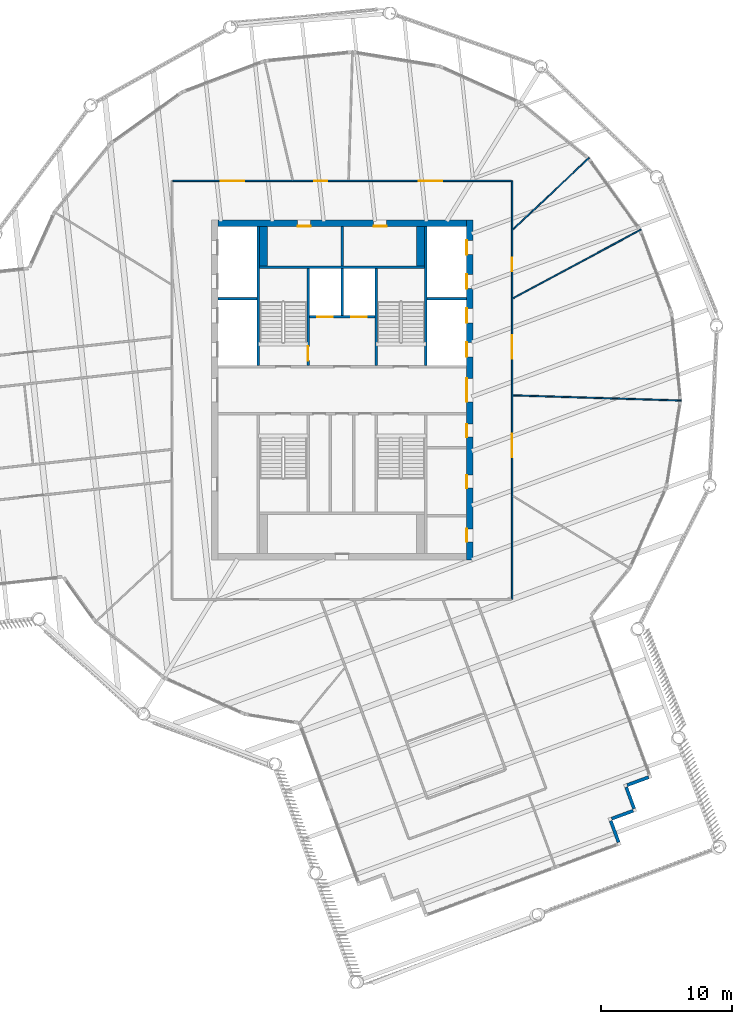
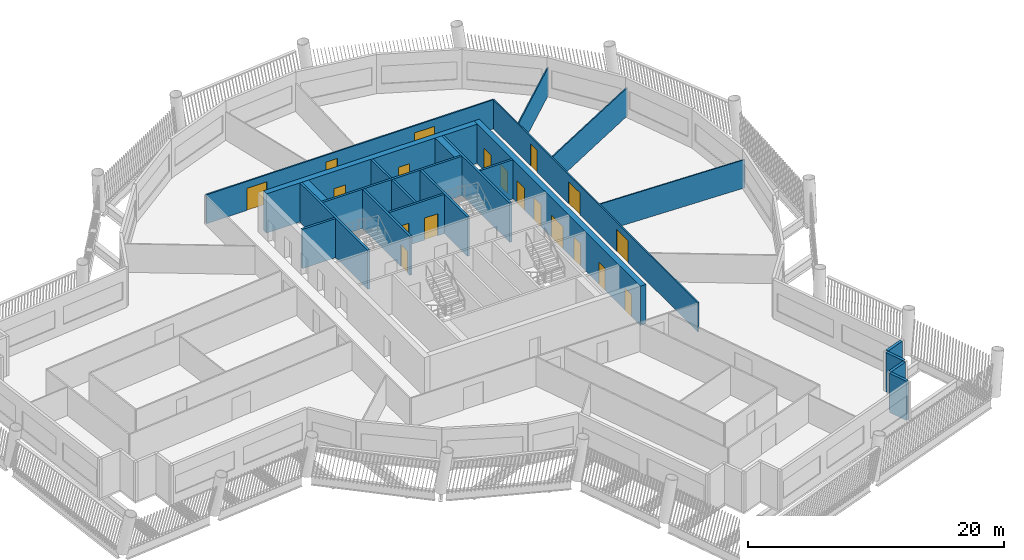
# One storey, part 5 of 14: 23 walls, 19 doors, 19 openings.
"""IFC4 building model written with IfcOpenShell, lengths in metres."""

from ifc_helpers import new_model, si_unit, direction, frame, frame_2d, origin, place, context, subcontext, project, spatial, rectangle, extrude, material, layer, layer_set, type_object, element, fill, save


model = new_model("IFC4")

# Units and contexts
model_context = context("Model", 3, precision=1e-05, world=origin(), true_north=direction((0.0, 1.0)))
body_context = subcontext(model_context, "Body", "Model", "MODEL_VIEW")
ifc_project = project(units=[si_unit("LENGTHUNIT", "METRE"), si_unit("AREAUNIT", "SQUARE_METRE"), si_unit("VOLUMEUNIT", "CUBIC_METRE"), si_unit("PLANEANGLEUNIT", "RADIAN"), si_unit("MASSUNIT", "GRAM", prefix="KILO")], contexts=[model_context])

# Site, building, storey
site_placement = place(None, origin())
site = spatial("IfcSite", under=ifc_project, at=site_placement, CompositionType="ELEMENT")
building_placement = place(site_placement, origin())
building = spatial("IfcBuilding", under=site, at=building_placement, Name="Tarsis Ring Headquarters", CompositionType="ELEMENT")
storey_placement = place(building_placement, frame((0.0, 0.0, 311.89990234375)))
storey = spatial("IfcBuildingStorey", under=building, at=storey_placement, Name="L73", CompositionType="ELEMENT", Elevation=311.89990234375)

# Wall
ifc_material_1 = material(Name="Blockwork", Category="masonry")
ifc_layer_1 = layer(ifc_material_1, 0.199951171875)
ifc_layer_set_1 = layer_set([ifc_layer_1], Name="Core blockwork wall 200")
wall_type_1 = type_object("IfcWallType", Name="Core blockwork wall 200", PredefinedType="PARTITIONING", material=ifc_layer_set_1)
wall_1_placement = place(storey_placement, frame((0.0, 9.5, 0.0), z_axis=(0.0, 0.0, 1.0), x_axis=(0.0, 1.0, 0.0)))
element("IfcWall", 1, at=wall_1_placement, inside=storey, type_object=wall_type_1, Name="Core partition ND2", PredefinedType="PARTITIONING", context=body_context, shape_type="SweptSolid", body=[
    extrude(rectangle(XDim=3.0, YDim=0.199951171875, at=frame_2d((1.5, 0.0))), origin(), (0.0, 0.0, 1.0), 3.739990234375),
])

# Wall, openings, doors
ifc_material_2 = material(Name="Concrete C50/60", Category="concrete")
ifc_layer_2 = layer(ifc_material_2, 0.5)
ifc_layer_set_2 = layer_set([ifc_layer_2], Name="Core wall 500 C50/60")
wall_type_2 = type_object("IfcWallType", Name="Core wall 500 C50/60", PredefinedType="SHEAR", material=ifc_layer_set_2)
wall_2_placement = place(storey_placement, frame((9.75, -13.0, 0.0), z_axis=(0.0, 0.0, 1.0), x_axis=(0.0, 1.0, 0.0)))
wall_2 = element("IfcWall", 2, at=wall_2_placement, inside=storey, type_object=wall_type_2, Name="Core wall OE", PredefinedType="SHEAR", context=body_context, shape_type="SweptSolid", body=[
    extrude(rectangle(XDim=26.0, YDim=0.5, at=frame_2d((13.0, 0.0))), origin(), (0.0, 0.0, 1.0), 3.739990234375),
])
opening_1_placement = place(wall_2_placement, frame((1.39990234375, 0.0, 0.0)))
opening_1 = element("IfcOpeningElement", 3, at=opening_1_placement, cuts=wall_2, Name="Opening L73-C07", PredefinedType="OPENING", context=body_context, shape_type="SweptSolid", body=[
    extrude(rectangle(XDim=1.0, YDim=2.10009765625, at=frame_2d((0.5, 1.050048828125))), frame((0.0, 0.260009765625, 0.0), z_axis=(0.0, -1.0, 0.0), x_axis=(1.0, 0.0, 0.0)), (0.0, 0.0, 1.0), 0.52001953125),
])
opening_2_placement = place(wall_2_placement, frame((5.5, 0.0, 0.0)))
opening_2 = element("IfcOpeningElement", 4, at=opening_2_placement, cuts=wall_2, Name="Opening L73-C08", PredefinedType="OPENING", context=body_context, shape_type="SweptSolid", body=[
    extrude(rectangle(XDim=1.0, YDim=2.10009765625, at=frame_2d((0.5, 1.050048828125))), frame((0.0, 0.260009765625, 0.0), z_axis=(0.0, -1.0, 0.0), x_axis=(1.0, 0.0, 0.0)), (0.0, 0.0, 1.0), 0.52001953125),
])
opening_3_placement = place(wall_2_placement, frame((9.39990234375, 0.0, 0.0)))
opening_3 = element("IfcOpeningElement", 5, at=opening_3_placement, cuts=wall_2, Name="Opening L73-C09", PredefinedType="OPENING", context=body_context, shape_type="SweptSolid", body=[
    extrude(rectangle(XDim=1.0, YDim=2.10009765625, at=frame_2d((0.5, 1.050048828125))), frame((0.0, 0.260009765625, 0.0), z_axis=(0.0, -1.0, 0.0), x_axis=(1.0, 0.0, 0.0)), (0.0, 0.0, 1.0), 0.52001953125),
])
opening_4_placement = place(wall_2_placement, frame((12.10009765625, 0.0, 0.0)))
opening_4 = element("IfcOpeningElement", 6, at=opening_4_placement, cuts=wall_2, Name="Opening L73-C10", PredefinedType="OPENING", context=body_context, shape_type="SweptSolid", body=[
    extrude(rectangle(XDim=1.800048828125, YDim=2.10009765625, at=frame_2d((0.89990234375, 1.050048828125))), frame((0.0, 0.260009765625, 0.0), z_axis=(0.0, -1.0, 0.0), x_axis=(1.0, 0.0, 0.0)), (0.0, 0.0, 1.0), 0.52001953125),
])
opening_5_placement = place(wall_2_placement, frame((15.550048828125, 0.0, 0.0)))
opening_5 = element("IfcOpeningElement", 7, at=opening_5_placement, cuts=wall_2, Name="Opening LD-HR5", PredefinedType="OPENING", context=body_context, shape_type="SweptSolid", body=[
    extrude(rectangle(XDim=1.10009765625, YDim=2.10009765625, at=frame_2d((0.550048828125, 1.050048828125))), frame((0.0, 0.260009765625, 0.0), z_axis=(0.0, -1.0, 0.0), x_axis=(1.0, 0.0, 0.0)), (0.0, 0.0, 1.0), 0.52001953125),
])
opening_6_placement = place(wall_2_placement, frame((18.14990234375, 0.0, 0.0)))
opening_6 = element("IfcOpeningElement", 8, at=opening_6_placement, cuts=wall_2, Name="Opening LD-HR6", PredefinedType="OPENING", context=body_context, shape_type="SweptSolid", body=[
    extrude(rectangle(XDim=1.10009765625, YDim=2.10009765625, at=frame_2d((0.550048828125, 1.050048828125))), frame((0.0, 0.260009765625, 0.0), z_axis=(0.0, -1.0, 0.0), x_axis=(1.0, 0.0, 0.0)), (0.0, 0.0, 1.0), 0.52001953125),
])
opening_7_placement = place(wall_2_placement, frame((20.75, 0.0, 0.0)))
opening_7 = element("IfcOpeningElement", 9, at=opening_7_placement, cuts=wall_2, Name="Opening LD-HR7", PredefinedType="OPENING", context=body_context, shape_type="SweptSolid", body=[
    extrude(rectangle(XDim=1.10009765625, YDim=2.10009765625, at=frame_2d((0.550048828125, 1.050048828125))), frame((0.0, 0.260009765625, 0.0), z_axis=(0.0, -1.0, 0.0), x_axis=(1.0, 0.0, 0.0)), (0.0, 0.0, 1.0), 0.52001953125),
])
opening_8_placement = place(wall_2_placement, frame((23.35009765625, 0.0, 0.0)))
opening_8 = element("IfcOpeningElement", 10, at=opening_8_placement, cuts=wall_2, Name="Opening LD-HR8", PredefinedType="OPENING", context=body_context, shape_type="SweptSolid", body=[
    extrude(rectangle(XDim=1.10009765625, YDim=2.10009765625, at=frame_2d((0.550048828125, 1.050048828125))), frame((0.0, 0.260009765625, 0.0), z_axis=(0.0, -1.0, 0.0), x_axis=(1.0, 0.0, 0.0)), (0.0, 0.0, 1.0), 0.52001953125),
])
ifc_material_3 = material(Name="Steel S355", Category="steel")
door_type_1 = type_object("IfcDoorType", Name="Core entry door 1800x2100", OperationType="DOUBLE_DOOR_SINGLE_SWING", PredefinedType="DOOR", material=ifc_material_3)
door_1_placement = place(opening_4_placement, origin())
door_1 = element("IfcDoor", 11, at=door_1_placement, inside=storey, type_object=door_type_1, Name="Core entry door L73", OperationType="DOUBLE_DOOR_SINGLE_SWING", OverallHeight=2.10009765625, OverallWidth=1.800048828125, PredefinedType="DOOR", context=body_context, shape_type="SweptSolid", body=[
    extrude(rectangle(XDim=1.800048828125, YDim=2.10009765625, at=frame_2d((0.89990234375, 1.050048828125))), frame((0.0, 0.25, 0.0), z_axis=(0.0, -1.0, 0.0), x_axis=(1.0, 0.0, 0.0)), (0.0, 0.0, 1.0), 0.050048828125),
])
fill(opening_4, door_1)
door_type_2 = type_object("IfcDoorType", Name="Core room door 1000x2100", OperationType="SINGLE_SWING_LEFT", PredefinedType="DOOR", material=ifc_material_3)
door_2_placement = place(opening_1_placement, origin())
door_2 = element("IfcDoor", 12, at=door_2_placement, inside=storey, type_object=door_type_2, Name="Core room door L73", OperationType="SINGLE_SWING_LEFT", OverallHeight=2.10009765625, OverallWidth=1.0, PredefinedType="DOOR", context=body_context, shape_type="SweptSolid", body=[
    extrude(rectangle(XDim=1.0, YDim=2.10009765625, at=frame_2d((0.5, 1.050048828125))), frame((0.0, 0.25, 0.0), z_axis=(0.0, -1.0, 0.0), x_axis=(1.0, 0.0, 0.0)), (0.0, 0.0, 1.0), 0.050048828125),
])
fill(opening_1, door_2)
door_3_placement = place(opening_2_placement, origin())
door_3 = element("IfcDoor", 13, at=door_3_placement, inside=storey, type_object=door_type_2, Name="Core room door L73", OperationType="SINGLE_SWING_LEFT", OverallHeight=2.10009765625, OverallWidth=1.0, PredefinedType="DOOR", context=body_context, shape_type="SweptSolid", body=[
    extrude(rectangle(XDim=1.0, YDim=2.10009765625, at=frame_2d((0.5, 1.050048828125))), frame((0.0, 0.25, 0.0), z_axis=(0.0, -1.0, 0.0), x_axis=(1.0, 0.0, 0.0)), (0.0, 0.0, 1.0), 0.050048828125),
])
fill(opening_2, door_3)
door_4_placement = place(opening_3_placement, origin())
door_4 = element("IfcDoor", 14, at=door_4_placement, inside=storey, type_object=door_type_2, Name="Core room door L73", OperationType="SINGLE_SWING_LEFT", OverallHeight=2.10009765625, OverallWidth=1.0, PredefinedType="DOOR", context=body_context, shape_type="SweptSolid", body=[
    extrude(rectangle(XDim=1.0, YDim=2.10009765625, at=frame_2d((0.5, 1.050048828125))), frame((0.0, 0.25, 0.0), z_axis=(0.0, -1.0, 0.0), x_axis=(1.0, 0.0, 0.0)), (0.0, 0.0, 1.0), 0.050048828125),
])
fill(opening_3, door_4)
door_type_3 = type_object("IfcDoorType", Name="Landing door 1100x2100", OperationType="SLIDING_TO_LEFT", PredefinedType="DOOR", material=ifc_material_3)
door_5_placement = place(opening_5_placement, origin())
door_5 = element("IfcDoor", 15, at=door_5_placement, inside=storey, type_object=door_type_3, Name="Landing door HR5 L73", OperationType="SLIDING_TO_LEFT", OverallHeight=2.10009765625, OverallWidth=1.10009765625, PredefinedType="DOOR", context=body_context, shape_type="SweptSolid", body=[
    extrude(rectangle(XDim=1.10009765625, YDim=2.10009765625, at=frame_2d((0.550048828125, 1.050048828125))), frame((0.0, 0.25, 0.0), z_axis=(0.0, -1.0, 0.0), x_axis=(1.0, 0.0, 0.0)), (0.0, 0.0, 1.0), 0.050048828125),
])
fill(opening_5, door_5)
door_6_placement = place(opening_6_placement, origin())
door_6 = element("IfcDoor", 16, at=door_6_placement, inside=storey, type_object=door_type_3, Name="Landing door HR6 L73", OperationType="SLIDING_TO_LEFT", OverallHeight=2.10009765625, OverallWidth=1.10009765625, PredefinedType="DOOR", context=body_context, shape_type="SweptSolid", body=[
    extrude(rectangle(XDim=1.10009765625, YDim=2.10009765625, at=frame_2d((0.550048828125, 1.050048828125))), frame((0.0, 0.25, 0.0), z_axis=(0.0, -1.0, 0.0), x_axis=(1.0, 0.0, 0.0)), (0.0, 0.0, 1.0), 0.050048828125),
])
fill(opening_6, door_6)
door_7_placement = place(opening_7_placement, origin())
door_7 = element("IfcDoor", 17, at=door_7_placement, inside=storey, type_object=door_type_3, Name="Landing door HR7 L73", OperationType="SLIDING_TO_LEFT", OverallHeight=2.10009765625, OverallWidth=1.10009765625, PredefinedType="DOOR", context=body_context, shape_type="SweptSolid", body=[
    extrude(rectangle(XDim=1.10009765625, YDim=2.10009765625, at=frame_2d((0.550048828125, 1.050048828125))), frame((0.0, 0.25, 0.0), z_axis=(0.0, -1.0, 0.0), x_axis=(1.0, 0.0, 0.0)), (0.0, 0.0, 1.0), 0.050048828125),
])
fill(opening_7, door_7)
door_8_placement = place(opening_8_placement, origin())
door_8 = element("IfcDoor", 18, at=door_8_placement, inside=storey, type_object=door_type_3, Name="Landing door HR8 L73", OperationType="SLIDING_TO_LEFT", OverallHeight=2.10009765625, OverallWidth=1.10009765625, PredefinedType="DOOR", context=body_context, shape_type="SweptSolid", body=[
    extrude(rectangle(XDim=1.10009765625, YDim=2.10009765625, at=frame_2d((0.550048828125, 1.050048828125))), frame((0.0, 0.25, 0.0), z_axis=(0.0, -1.0, 0.0), x_axis=(1.0, 0.0, 0.0)), (0.0, 0.0, 1.0), 0.050048828125),
])
fill(opening_8, door_8)

wall_3_placement = place(storey_placement, frame((-9.5, 12.75, 0.0), z_axis=(0.0, 0.0, 1.0), x_axis=(1.0, 0.0, 0.0)))
wall_3 = element("IfcWall", 19, at=wall_3_placement, inside=storey, type_object=wall_type_2, Name="Core wall ON", PredefinedType="SHEAR", context=body_context, shape_type="SweptSolid", body=[
    extrude(rectangle(XDim=19.0, YDim=0.5, at=frame_2d((9.5, 0.0))), origin(), (0.0, 0.0, 1.0), 3.739990234375),
])
opening_9_placement = place(wall_3_placement, frame((6.10009765625, 0.0, 0.0)))
opening_9 = element("IfcOpeningElement", 20, at=opening_9_placement, cuts=wall_3, Name="Opening L73-C15", PredefinedType="OPENING", context=body_context, shape_type="SweptSolid", body=[
    extrude(rectangle(XDim=1.0, YDim=2.10009765625, at=frame_2d((0.5, 1.050048828125))), frame((0.0, 0.260009765625, 0.0), z_axis=(0.0, -1.0, 0.0), x_axis=(1.0, 0.0, 0.0)), (0.0, 0.0, 1.0), 0.52001953125),
])
opening_10_placement = place(wall_3_placement, frame((11.89990234375, 0.0, 0.0)))
opening_10 = element("IfcOpeningElement", 21, at=opening_10_placement, cuts=wall_3, Name="Opening L73-C16", PredefinedType="OPENING", context=body_context, shape_type="SweptSolid", body=[
    extrude(rectangle(XDim=1.0, YDim=2.10009765625, at=frame_2d((0.5, 1.050048828125))), frame((0.0, 0.260009765625, 0.0), z_axis=(0.0, -1.0, 0.0), x_axis=(1.0, 0.0, 0.0)), (0.0, 0.0, 1.0), 0.52001953125),
])
door_9_placement = place(opening_9_placement, origin())
door_9 = element("IfcDoor", 22, at=door_9_placement, inside=storey, type_object=door_type_2, Name="Core room door L73", OperationType="SINGLE_SWING_LEFT", OverallHeight=2.10009765625, OverallWidth=1.0, PredefinedType="DOOR", context=body_context, shape_type="SweptSolid", body=[
    extrude(rectangle(XDim=1.0, YDim=2.10009765625, at=frame_2d((0.5, 1.050048828125))), frame((0.0, -0.2001953125, 0.0), z_axis=(0.0, -1.0, 0.0), x_axis=(1.0, 0.0, 0.0)), (0.0, 0.0, 1.0), 0.050048828125),
])
fill(opening_9, door_9)
door_10_placement = place(opening_10_placement, origin())
door_10 = element("IfcDoor", 23, at=door_10_placement, inside=storey, type_object=door_type_2, Name="Core room door L73", OperationType="SINGLE_SWING_LEFT", OverallHeight=2.10009765625, OverallWidth=1.0, PredefinedType="DOOR", context=body_context, shape_type="SweptSolid", body=[
    extrude(rectangle(XDim=1.0, YDim=2.10009765625, at=frame_2d((0.5, 1.050048828125))), frame((0.0, -0.2001953125, 0.0), z_axis=(0.0, -1.0, 0.0), x_axis=(1.0, 0.0, 0.0)), (0.0, 0.0, 1.0), 0.050048828125),
])
fill(opening_10, door_10)

# Walls
ifc_material_4 = material(Name="Gypsum board on steel studs", Category="steel")
ifc_layer_3 = layer(ifc_material_4, 0.10009765625)
ifc_layer_set_3 = layer_set([ifc_layer_3], Name="FL partition 100 unrated")
wall_type_3 = type_object("IfcWallType", Name="FL partition 100 unrated", PredefinedType="PARTITIONING", material=ifc_layer_set_3)
wall_4_placement = place(storey_placement, frame((13.070068359375, -0.401611328125, 0.0), z_axis=(0.0, 0.0, 1.0), x_axis=(0.999528388262, -0.030708322307, 0.0)))
element("IfcWall", 24, at=wall_4_placement, inside=storey, type_object=wall_type_3, Name="Partition PW3", PredefinedType="PARTITIONING", context=body_context, shape_type="SweptSolid", body=[
    extrude(rectangle(XDim=12.87158203125, YDim=0.10009765625, at=frame_2d((6.435791015625, 0.0))), origin(), (0.0, 0.0, 1.0), 2.7001953125),
])
wall_5_placement = place(storey_placement, frame((13.079345703125, 7.02490234375, 0.0), z_axis=(0.0, 0.0, 1.0), x_axis=(0.880977623037, 0.473157931043, 0.0)))
element("IfcWall", 25, at=wall_5_placement, inside=storey, type_object=wall_type_3, Name="Partition PW3", PredefinedType="PARTITIONING", context=body_context, shape_type="SweptSolid", body=[
    extrude(rectangle(XDim=11.101318359375, YDim=0.10009765625, at=frame_2d((5.55078125, 0.0))), origin(), (0.0, 0.0, 1.0), 2.7001953125),
])
wall_6_placement = place(storey_placement, frame((13.08740234375, 12.30712890625, 0.0), z_axis=(0.0, 0.0, 1.0), x_axis=(0.728502503435, 0.685043139145, 0.0)))
element("IfcWall", 26, at=wall_6_placement, inside=storey, type_object=wall_type_3, Name="Partition PW3", PredefinedType="PARTITIONING", context=body_context, shape_type="SweptSolid", body=[
    extrude(rectangle(XDim=7.982666015625, YDim=0.10009765625, at=frame_2d((3.9912109375, 0.0))), origin(), (0.0, 0.0, 1.0), 2.7001953125),
])

# Wall, openings, doors
ifc_layer_4 = layer(ifc_material_4, 0.125)
ifc_layer_set_4 = layer_set([ifc_layer_4], Name="FL partition 125 EI 60 H2770")
wall_type_4 = type_object("IfcWallType", Name="FL partition 125 EI 60 H2770", PredefinedType="PARTITIONING", material=ifc_layer_set_4)
wall_7_placement = place(storey_placement, frame((13.0, -16.0, 0.0), z_axis=(0.0, 0.0, 1.0), x_axis=(0.0, 1.0, 0.0)))
wall_7 = element("IfcWall", 27, at=wall_7_placement, inside=storey, type_object=wall_type_4, Name="Partition PW1", PredefinedType="PARTITIONING", context=body_context, shape_type="SweptSolid", body=[
    extrude(rectangle(XDim=32.0, YDim=0.125, at=frame_2d((16.0, 0.0))), origin(), (0.0, 0.0, 1.0), 2.77001953125),
])
opening_11_placement = place(wall_7_placement, frame((25.103515625, 0.0, 0.0)))
opening_11 = element("IfcOpeningElement", 28, at=opening_11_placement, cuts=wall_7, Name="Opening D73.06", PredefinedType="OPENING", context=body_context, shape_type="SweptSolid", body=[
    extrude(rectangle(XDim=1.0, YDim=2.10009765625, at=frame_2d((0.5, 1.050048828125))), frame((0.0, 0.072509765625, 0.0), z_axis=(0.0, -1.0, 0.0), x_axis=(1.0, 0.0, 0.0)), (0.0, 0.0, 1.0), 0.14501953125),
])
opening_12_placement = place(wall_7_placement, frame((18.391357421875, 0.0, 0.0)))
opening_12 = element("IfcOpeningElement", 29, at=opening_12_placement, cuts=wall_7, Name="Opening D73.07", PredefinedType="OPENING", context=body_context, shape_type="SweptSolid", body=[
    extrude(rectangle(XDim=1.800048828125, YDim=2.10009765625, at=frame_2d((0.89990234375, 1.050048828125))), frame((0.0, 0.072509765625, 0.0), z_axis=(0.0, -1.0, 0.0), x_axis=(1.0, 0.0, 0.0)), (0.0, 0.0, 1.0), 0.14501953125),
])
opening_13_placement = place(wall_7_placement, frame((10.87646484375, 0.0, 0.0)))
opening_13 = element("IfcOpeningElement", 30, at=opening_13_placement, cuts=wall_7, Name="Opening D73.08", PredefinedType="OPENING", context=body_context, shape_type="SweptSolid", body=[
    extrude(rectangle(XDim=1.800048828125, YDim=2.10009765625, at=frame_2d((0.89990234375, 1.050048828125))), frame((0.0, 0.072509765625, 0.0), z_axis=(0.0, -1.0, 0.0), x_axis=(1.0, 0.0, 0.0)), (0.0, 0.0, 1.0), 0.14501953125),
])
ifc_material_5 = material(Name="Fire-rated timber door leaf in steel frame", Category="steel")
door_type_4 = type_object("IfcDoorType", Name="FL door FD60-1000", OperationType="NOTDEFINED", PredefinedType="DOOR", material=ifc_material_5)
door_11_placement = place(opening_11_placement, origin())
door_11 = element("IfcDoor", 31, at=door_11_placement, inside=storey, type_object=door_type_4, Name="Door D73.06", OperationType="SINGLE_SWING_LEFT", OverallHeight=2.10009765625, OverallWidth=1.0, PredefinedType="DOOR", context=body_context, shape_type="SweptSolid", body=[
    extrude(rectangle(XDim=1.0, YDim=2.10009765625, at=frame_2d((0.5, 1.050048828125))), frame((0.0, 0.02490234375, 0.0), z_axis=(0.0, -1.0, 0.0), x_axis=(1.0, 0.0, 0.0)), (0.0, 0.0, 1.0), 0.050048828125),
])
fill(opening_11, door_11)
door_type_5 = type_object("IfcDoorType", Name="FL door FD60-1800", OperationType="DOUBLE_DOOR_SINGLE_SWING", PredefinedType="DOOR", material=ifc_material_5)
door_12_placement = place(opening_12_placement, origin())
door_12 = element("IfcDoor", 32, at=door_12_placement, inside=storey, type_object=door_type_5, Name="Door D73.07", OperationType="DOUBLE_DOOR_SINGLE_SWING", OverallHeight=2.10009765625, OverallWidth=1.800048828125, PredefinedType="DOOR", context=body_context, shape_type="SweptSolid", body=[
    extrude(rectangle(XDim=1.800048828125, YDim=2.10009765625, at=frame_2d((0.89990234375, 1.050048828125))), frame((0.0, 0.02490234375, 0.0), z_axis=(0.0, -1.0, 0.0), x_axis=(1.0, 0.0, 0.0)), (0.0, 0.0, 1.0), 0.050048828125),
])
fill(opening_12, door_12)
door_13_placement = place(opening_13_placement, origin())
door_13 = element("IfcDoor", 33, at=door_13_placement, inside=storey, type_object=door_type_5, Name="Door D73.08", OperationType="DOUBLE_DOOR_SINGLE_SWING", OverallHeight=2.10009765625, OverallWidth=1.800048828125, PredefinedType="DOOR", context=body_context, shape_type="SweptSolid", body=[
    extrude(rectangle(XDim=1.800048828125, YDim=2.10009765625, at=frame_2d((0.89990234375, 1.050048828125))), frame((0.0, 0.02490234375, 0.0), z_axis=(0.0, -1.0, 0.0), x_axis=(1.0, 0.0, 0.0)), (0.0, 0.0, 1.0), 0.050048828125),
])
fill(opening_13, door_13)

wall_8_placement = place(storey_placement, frame((-12.93994140625, 16.0, 0.0), z_axis=(0.0, 0.0, 1.0), x_axis=(1.0, 0.0, 0.0)))
wall_8 = element("IfcWall", 34, at=wall_8_placement, inside=storey, type_object=wall_type_4, Name="Partition PW1", PredefinedType="PARTITIONING", context=body_context, shape_type="SweptSolid", body=[
    extrude(rectangle(XDim=25.8798828125, YDim=0.125, at=frame_2d((12.93994140625, 0.0))), origin(), (0.0, 0.0, 1.0), 2.77001953125),
])
opening_14_placement = place(wall_8_placement, frame((3.65771484375, 0.0, 0.0)))
opening_14 = element("IfcOpeningElement", 35, at=opening_14_placement, cuts=wall_8, Name="Opening D73.03", PredefinedType="OPENING", context=body_context, shape_type="SweptSolid", body=[
    extrude(rectangle(XDim=1.800048828125, YDim=2.10009765625, at=frame_2d((0.89990234375, 1.050048828125))), frame((0.0, 0.072509765625, 0.0), z_axis=(0.0, -1.0, 0.0), x_axis=(1.0, 0.0, 0.0)), (0.0, 0.0, 1.0), 0.14501953125),
])
opening_15_placement = place(wall_8_placement, frame((10.803466796875, 0.0, 0.0)))
opening_15 = element("IfcOpeningElement", 36, at=opening_15_placement, cuts=wall_8, Name="Opening D73.04", PredefinedType="OPENING", context=body_context, shape_type="SweptSolid", body=[
    extrude(rectangle(XDim=1.0, YDim=2.10009765625, at=frame_2d((0.5, 1.050048828125))), frame((0.0, 0.072509765625, 0.0), z_axis=(0.0, -1.0, 0.0), x_axis=(1.0, 0.0, 0.0)), (0.0, 0.0, 1.0), 0.14501953125),
])
opening_16_placement = place(wall_8_placement, frame((18.785888671875, 0.0, 0.0)))
opening_16 = element("IfcOpeningElement", 37, at=opening_16_placement, cuts=wall_8, Name="Opening D73.05", PredefinedType="OPENING", context=body_context, shape_type="SweptSolid", body=[
    extrude(rectangle(XDim=1.800048828125, YDim=2.10009765625, at=frame_2d((0.89990234375, 1.050048828125))), frame((0.0, 0.072509765625, 0.0), z_axis=(0.0, -1.0, 0.0), x_axis=(1.0, 0.0, 0.0)), (0.0, 0.0, 1.0), 0.14501953125),
])
door_14_placement = place(opening_15_placement, origin())
door_14 = element("IfcDoor", 38, at=door_14_placement, inside=storey, type_object=door_type_4, Name="Door D73.04", OperationType="SINGLE_SWING_LEFT", OverallHeight=2.10009765625, OverallWidth=1.0, PredefinedType="DOOR", context=body_context, shape_type="SweptSolid", body=[
    extrude(rectangle(XDim=1.0, YDim=2.10009765625, at=frame_2d((0.5, 1.050048828125))), frame((0.0, 0.02490234375, 0.0), z_axis=(0.0, -1.0, 0.0), x_axis=(1.0, 0.0, 0.0)), (0.0, 0.0, 1.0), 0.050048828125),
])
fill(opening_15, door_14)
door_15_placement = place(opening_14_placement, origin())
door_15 = element("IfcDoor", 39, at=door_15_placement, inside=storey, type_object=door_type_5, Name="Door D73.03", OperationType="DOUBLE_DOOR_SINGLE_SWING", OverallHeight=2.10009765625, OverallWidth=1.800048828125, PredefinedType="DOOR", context=body_context, shape_type="SweptSolid", body=[
    extrude(rectangle(XDim=1.800048828125, YDim=2.10009765625, at=frame_2d((0.89990234375, 1.050048828125))), frame((0.0, 0.02490234375, 0.0), z_axis=(0.0, -1.0, 0.0), x_axis=(1.0, 0.0, 0.0)), (0.0, 0.0, 1.0), 0.050048828125),
])
fill(opening_14, door_15)
door_16_placement = place(opening_16_placement, origin())
door_16 = element("IfcDoor", 40, at=door_16_placement, inside=storey, type_object=door_type_5, Name="Door D73.05", OperationType="DOUBLE_DOOR_SINGLE_SWING", OverallHeight=2.10009765625, OverallWidth=1.800048828125, PredefinedType="DOOR", context=body_context, shape_type="SweptSolid", body=[
    extrude(rectangle(XDim=1.800048828125, YDim=2.10009765625, at=frame_2d((0.89990234375, 1.050048828125))), frame((0.0, 0.02490234375, 0.0), z_axis=(0.0, -1.0, 0.0), x_axis=(1.0, 0.0, 0.0)), (0.0, 0.0, 1.0), 0.050048828125),
])
fill(opening_16, door_16)

# Walls
ifc_material_6 = material(Name="Terracotta clad insulated panel wall", Category="masonry")
ifc_layer_5 = layer(ifc_material_6, 0.25)
ifc_layer_set_5 = layer_set([ifc_layer_5], Name="Facade wall terracotta panel 250")
wall_type_5 = type_object("IfcWallType", Name="Facade wall terracotta panel 250", PredefinedType="STANDARD", material=ifc_layer_set_5)
for number, where, z_axis, x_axis, name in (
    (41, (21.140380859375, -34.571044921875, 0.0), (0.0, 0.0, 1.0), (-0.345996281255, 0.938235883644, 0.0), "External wall L73-12"),
    (42, (20.60888671875, -32.7685546875, 0.0), (0.0, 0.0, 1.0), (0.938297855333, 0.345828186644, 0.0), "External wall L73-13"),
    (43, (22.324951171875, -32.002685546875, 0.0), (0.0, 0.0, 1.0), (-0.345996281255, 0.938235883644, 0.0), "External wall L73-14"),
    (44, (21.793701171875, -30.2001953125, 0.0), (0.0, 0.0, 1.0), (0.938235883644, 0.345996281255, 0.0), "External wall L73-15"),
):
    element("IfcWall", number, at=place(storey_placement, frame(where, z_axis=z_axis, x_axis=x_axis)), inside=storey, type_object=wall_type_5, Name=name, PredefinedType="STANDARD", context=body_context, shape_type="SweptSolid", body=[
        extrude(rectangle(XDim=1.75, YDim=0.25, at=frame_2d((0.875, 0.0))), origin(), (0.0, 0.0, 1.0), 3.739990234375),
    ])
ifc_material_7 = material(Name="Concrete C32/40", Category="concrete")
ifc_layer_6 = layer(ifc_material_7, 0.60009765625)
ifc_layer_set_6 = layer_set([ifc_layer_6], Name="Shaft end wall 600 C32/40")
wall_type_6 = type_object("IfcWallType", Name="Shaft end wall 600 C32/40", PredefinedType="SOLIDWALL", material=ifc_layer_set_6)
for number, where, z_axis, x_axis, name in (
    (45, (-6.0, 9.5, 0.0), (0.0, 0.0, 1.0), (0.0, 1.0, 0.0), "Core shaft wall NNE1"),
    (46, (6.0, 9.5, 0.0), (0.0, 0.0, 1.0), (0.0, 1.0, 0.0), "Core shaft wall NNE2"),
):
    element("IfcWall", number, at=place(storey_placement, frame(where, z_axis=z_axis, x_axis=x_axis)), inside=storey, type_object=wall_type_6, Name=name, PredefinedType="SOLIDWALL", context=body_context, shape_type="SweptSolid", body=[
        extrude(rectangle(XDim=3.0, YDim=0.60009765625, at=frame_2d((1.5, 0.0))), origin(), (0.0, 0.0, 1.0), 3.739990234375),
    ])
ifc_layer_7 = layer(ifc_material_7, 0.199951171875)
ifc_layer_set_7 = layer_set([ifc_layer_7], Name="Shaft wall 200 C32/40")
wall_type_7 = type_object("IfcWallType", Name="Shaft wall 200 C32/40", PredefinedType="SOLIDWALL", material=ifc_layer_set_7)
for number, where, z_axis, x_axis, name in (
    (47, (-6.39990234375, 1.89990234375, 0.0), (0.0, 0.0, 1.0), (0.0, 1.0, 0.0), "Core shaft wall WB2"),
    (48, (6.39990234375, 1.89990234375, 0.0), (0.0, 0.0, 1.0), (0.0, 1.0, 0.0), "Core shaft wall EB2"),
):
    element("IfcWall", number, at=place(storey_placement, frame(where, z_axis=z_axis, x_axis=x_axis)), inside=storey, type_object=wall_type_7, Name=name, PredefinedType="SOLIDWALL", context=body_context, shape_type="SweptSolid", body=[
        extrude(rectangle(XDim=10.60009765625, YDim=0.199951171875, at=frame_2d((5.300048828125, 0.0))), origin(), (0.0, 0.0, 1.0), 3.739990234375),
    ])
wall_9_placement = place(storey_placement, frame((-6.300048828125, 9.39990234375, 0.0), z_axis=(0.0, 0.0, 1.0), x_axis=(1.0, 0.0, 0.0)))
element("IfcWall", 49, at=wall_9_placement, inside=storey, type_object=wall_type_7, Name="Core shaft wall NB", PredefinedType="SOLIDWALL", context=body_context, shape_type="SweptSolid", body=[
    extrude(rectangle(XDim=12.60009765625, YDim=0.199951171875, at=frame_2d((6.300048828125, 0.0))), origin(), (0.0, 0.0, 1.0), 3.739990234375),
])

# Wall, opening, door
wall_10_placement = place(storey_placement, frame((-2.60009765625, 1.89990234375, 0.0), z_axis=(0.0, 0.0, 1.0), x_axis=(0.0, 1.0, 0.0)))
wall_10 = element("IfcWall", 50, at=wall_10_placement, inside=storey, type_object=wall_type_7, Name="Core shaft wall SW1", PredefinedType="SOLIDWALL", context=body_context, shape_type="SweptSolid", body=[
    extrude(rectangle(XDim=7.400146484375, YDim=0.199951171875, at=frame_2d((3.7001953125, 0.0))), origin(), (0.0, 0.0, 1.0), 3.739990234375),
])
opening_17_placement = place(wall_10_placement, frame((0.35009765625, 0.0, 0.0)))
opening_17 = element("IfcOpeningElement", 51, at=opening_17_placement, cuts=wall_10, Name="Opening L73-C26", PredefinedType="OPENING", context=body_context, shape_type="SweptSolid", body=[
    extrude(rectangle(XDim=1.10009765625, YDim=2.10009765625, at=frame_2d((0.550048828125, 1.050048828125))), frame((0.0, 0.10986328125, 0.0), z_axis=(0.0, -1.0, 0.0), x_axis=(1.0, 0.0, 0.0)), (0.0, 0.0, 1.0), 0.219970703125),
])
door_type_6 = type_object("IfcDoorType", Name="Stair door 1100x2100", OperationType="SINGLE_SWING_LEFT", PredefinedType="DOOR", material=ifc_material_3)
door_17_placement = place(opening_17_placement, origin())
door_17 = element("IfcDoor", 52, at=door_17_placement, inside=storey, type_object=door_type_6, Name="Stair door L73", OperationType="SINGLE_SWING_LEFT", OverallHeight=2.10009765625, OverallWidth=1.10009765625, PredefinedType="DOOR", context=body_context, shape_type="SweptSolid", body=[
    extrude(rectangle(XDim=1.10009765625, YDim=2.10009765625, at=frame_2d((0.550048828125, 1.050048828125))), frame((0.0, 0.02490234375, 0.0), z_axis=(0.0, -1.0, 0.0), x_axis=(1.0, 0.0, 0.0)), (0.0, 0.0, 1.0), 0.050048828125),
])
fill(opening_17, door_17)

# Wall
wall_11_placement = place(storey_placement, frame((2.60009765625, 1.89990234375, 0.0), z_axis=(0.0, 0.0, 1.0), x_axis=(0.0, 1.0, 0.0)))
element("IfcWall", 53, at=wall_11_placement, inside=storey, type_object=wall_type_7, Name="Core shaft wall SW2", PredefinedType="SOLIDWALL", context=body_context, shape_type="SweptSolid", body=[
    extrude(rectangle(XDim=7.400146484375, YDim=0.199951171875, at=frame_2d((3.7001953125, 0.0))), origin(), (0.0, 0.0, 1.0), 3.739990234375),
])

# Wall, openings, doors
wall_12_placement = place(storey_placement, frame((-2.5, 5.60009765625, 0.0), z_axis=(0.0, 0.0, 1.0), x_axis=(1.0, 0.0, 0.0)))
wall_12 = element("IfcWall", 54, at=wall_12_placement, inside=storey, type_object=wall_type_7, Name="Core shaft wall FFN", PredefinedType="SOLIDWALL", context=body_context, shape_type="SweptSolid", body=[
    extrude(rectangle(XDim=5.0, YDim=0.199951171875, at=frame_2d((2.5, 0.0))), origin(), (0.0, 0.0, 1.0), 3.739990234375),
])
opening_18_placement = place(wall_12_placement, frame((0.60009765625, 0.0, 0.0)))
opening_18 = element("IfcOpeningElement", 55, at=opening_18_placement, cuts=wall_12, Name="Opening LDF-1", PredefinedType="OPENING", context=body_context, shape_type="SweptSolid", body=[
    extrude(rectangle(XDim=1.199951171875, YDim=2.10009765625, at=frame_2d((0.60009765625, 1.050048828125))), frame((0.0, 0.10986328125, 0.0), z_axis=(0.0, -1.0, 0.0), x_axis=(1.0, 0.0, 0.0)), (0.0, 0.0, 1.0), 0.219970703125),
])
opening_19_placement = place(wall_12_placement, frame((3.199951171875, 0.0, 0.0)))
opening_19 = element("IfcOpeningElement", 56, at=opening_19_placement, cuts=wall_12, Name="Opening LDF-2", PredefinedType="OPENING", context=body_context, shape_type="SweptSolid", body=[
    extrude(rectangle(XDim=1.199951171875, YDim=2.10009765625, at=frame_2d((0.60009765625, 1.050048828125))), frame((0.0, 0.10986328125, 0.0), z_axis=(0.0, -1.0, 0.0), x_axis=(1.0, 0.0, 0.0)), (0.0, 0.0, 1.0), 0.219970703125),
])
door_type_7 = type_object("IfcDoorType", Name="Firefighting landing door 1200x2100", OperationType="SLIDING_TO_LEFT", PredefinedType="DOOR", material=ifc_material_3)
door_18_placement = place(opening_18_placement, origin())
door_18 = element("IfcDoor", 57, at=door_18_placement, inside=storey, type_object=door_type_7, Name="Landing door FF1 L73", OperationType="SLIDING_TO_LEFT", OverallHeight=2.10009765625, OverallWidth=1.199951171875, PredefinedType="DOOR", context=body_context, shape_type="SweptSolid", body=[
    extrude(rectangle(XDim=1.199951171875, YDim=2.10009765625, at=frame_2d((0.60009765625, 1.050048828125))), frame((0.0, 0.02490234375, 0.0), z_axis=(0.0, -1.0, 0.0), x_axis=(1.0, 0.0, 0.0)), (0.0, 0.0, 1.0), 0.050048828125),
])
fill(opening_18, door_18)
door_19_placement = place(opening_19_placement, origin())
door_19 = element("IfcDoor", 58, at=door_19_placement, inside=storey, type_object=door_type_7, Name="Landing door FF2 L73", OperationType="SLIDING_TO_LEFT", OverallHeight=2.10009765625, OverallWidth=1.199951171875, PredefinedType="DOOR", context=body_context, shape_type="SweptSolid", body=[
    extrude(rectangle(XDim=1.199951171875, YDim=2.10009765625, at=frame_2d((0.60009765625, 1.050048828125))), frame((0.0, 0.02490234375, 0.0), z_axis=(0.0, -1.0, 0.0), x_axis=(1.0, 0.0, 0.0)), (0.0, 0.0, 1.0), 0.050048828125),
])
fill(opening_19, door_19)

# Walls
wall_13_placement = place(storey_placement, frame((0.0, 5.699951171875, 0.0), z_axis=(0.0, 0.0, 1.0), x_axis=(0.0, 1.0, 0.0)))
element("IfcWall", 59, at=wall_13_placement, inside=storey, type_object=wall_type_7, Name="Core shaft wall FFD", PredefinedType="SOLIDWALL", context=body_context, shape_type="SweptSolid", body=[
    extrude(rectangle(XDim=3.60009765625, YDim=0.199951171875, at=frame_2d((1.800048828125, 0.0))), origin(), (0.0, 0.0, 1.0), 3.739990234375),
])
for number, where, z_axis, x_axis, name in (
    (60, (-9.5, 7.0, 0.0), (0.0, 0.0, 1.0), (1.0, 0.0, 0.0), "Core shaft wall WD6"),
    (61, (6.5, 7.0, 0.0), (0.0, 0.0, 1.0), (1.0, 0.0, 0.0), "Core shaft wall ED6"),
):
    element("IfcWall", number, at=place(storey_placement, frame(where, z_axis=z_axis, x_axis=x_axis)), inside=storey, type_object=wall_type_7, Name=name, PredefinedType="SOLIDWALL", context=body_context, shape_type="SweptSolid", body=[
        extrude(rectangle(XDim=3.0, YDim=0.199951171875, at=frame_2d((1.5, 0.0))), origin(), (0.0, 0.0, 1.0), 3.739990234375),
    ])

save(model, "model.ifc")
